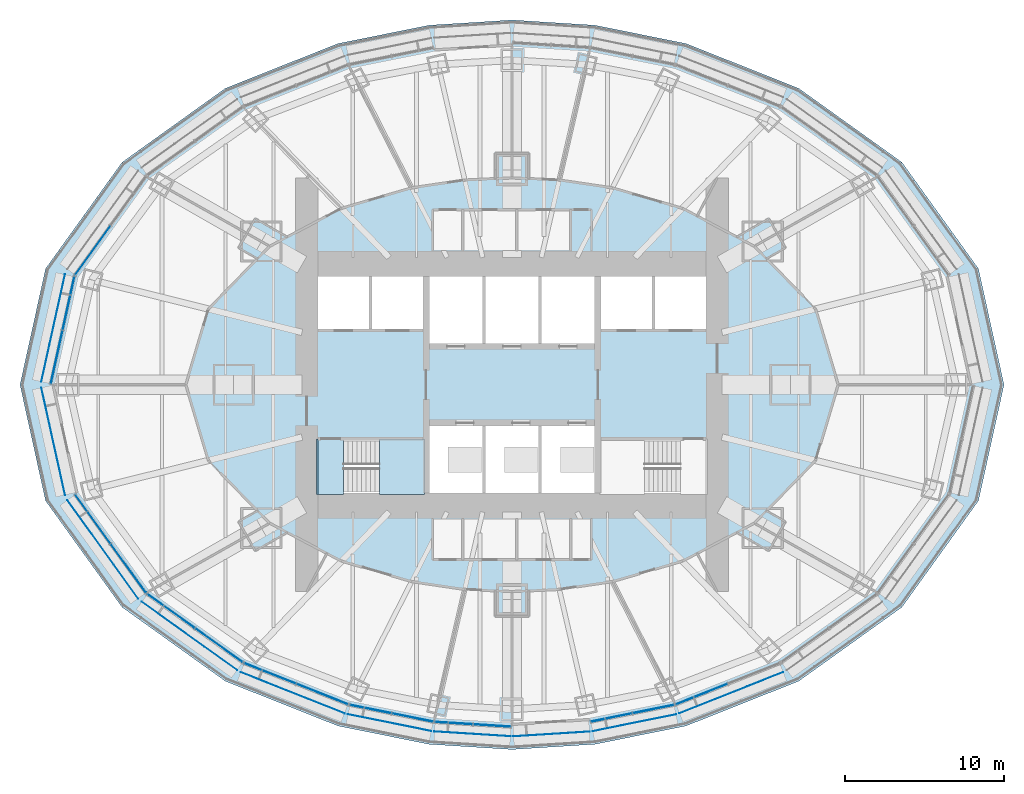
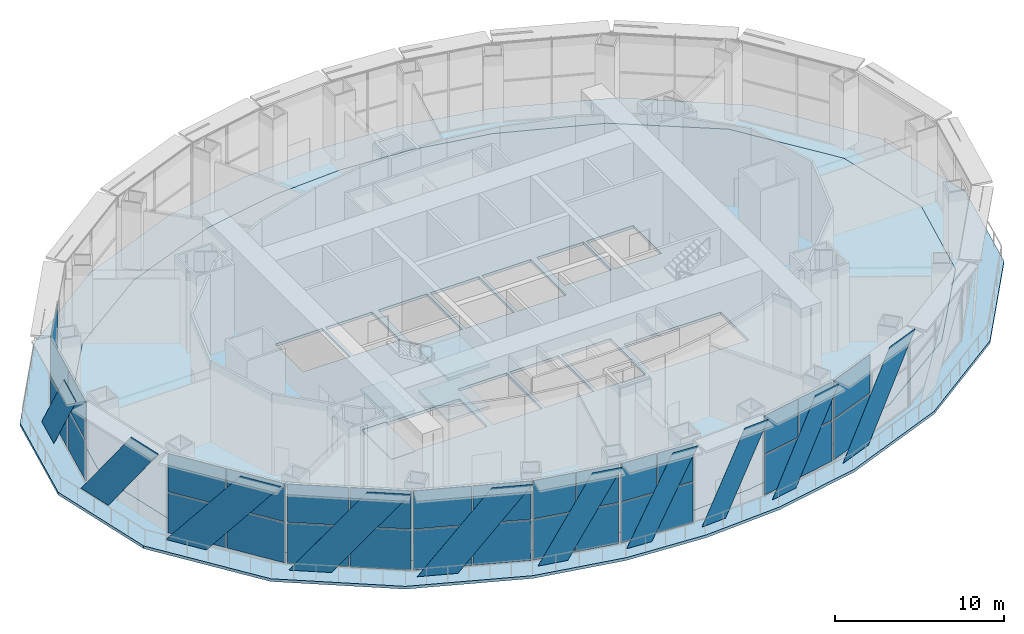
# One storey, part 8 of 21: 42 plates, 6 slabs, 10 elements without a shape of their own.
"""IFC4 building model written with IfcOpenShell, lengths in metres."""

from ifc_helpers import new_model, si_unit, direction, frame, origin, origin_2d, place, context, subcontext, project, spatial, polyline, rectangle, outline, extrude, material, layer, layer_set, type_object, element, aggregate, save


model = new_model("IFC4")

# Units and contexts
model_context = context("Model", 3, precision=1e-05, world=origin(), true_north=direction((0.0, 1.0)))
body_context = subcontext(model_context, "Body", "Model", "MODEL_VIEW")
ifc_project = project(units=[si_unit("LENGTHUNIT", "METRE"), si_unit("AREAUNIT", "SQUARE_METRE"), si_unit("VOLUMEUNIT", "CUBIC_METRE"), si_unit("PLANEANGLEUNIT", "RADIAN"), si_unit("MASSUNIT", "GRAM", prefix="KILO")], contexts=[model_context])

# Site, building, storey
site_placement = place(None, origin())
site = spatial("IfcSite", under=ifc_project, at=site_placement, CompositionType="ELEMENT")
building_placement = place(site_placement, origin())
building = spatial("IfcBuilding", under=site, at=building_placement, Name="Lantaw Convention Tower", CompositionType="ELEMENT")
storey_placement = place(building_placement, frame((0.0, 0.0, 111.39990234375)))
storey = spatial("IfcBuildingStorey", under=building, at=storey_placement, Name="L26", CompositionType="ELEMENT", Elevation=111.39990234375)

# Curtain wall, plates
ifc_material_1 = material(Name="Aluminium framed curtain wall", Category="aluminium")
curtain_wall_type = type_object("IfcCurtainWallType", Name="Sky lobby curtain wall L26, pale aluminium", PredefinedType="USERDEFINED", material=ifc_material_1)
curtain_wall_1_placement = place(storey_placement, origin())
curtain_wall_1 = element("IfcCurtainWall", 1, at=curtain_wall_1_placement, inside=storey, type_object=curtain_wall_type, Name="Sky lobby curtain wall L26, pale aluminium L26", ObjectType="STICK CURTAIN WALL", PredefinedType="USERDEFINED")
ifc_material_2 = material(Name="Clear insulating glass", Category="glass")
ifc_layer_1 = layer(ifc_material_2, 0.030029296875)
ifc_layer_set_1 = layer_set([ifc_layer_1], Name="CW-SL panel 30")
plate_type_1 = type_object("IfcPlateType", Name="CW-SL panel 30", PredefinedType="CURTAIN_PANEL", material=ifc_layer_set_1)
plate_1_placement = place(storey_placement, frame((-26.3466796875, 8.4365234375, 0.0751953125), z_axis=(0.0, 0.0, 1.0), x_axis=(-0.584512597221, -0.811384633629, 0.0)))
plate_1 = element("IfcPlate", 2, at=plate_1_placement, type_object=plate_type_1, Name="CW-SL panel 2.1", PredefinedType="CURTAIN_PANEL", context=body_context, shape_type="SweptSolid", body=[
    extrude(rectangle(XDim=3.75244140625, YDim=0.030029296875, at=origin_2d()), origin(), (0.0, 0.0, 1.0), 2.887451171875),
])
plate_2_placement = place(storey_placement, frame((-26.3466796875, 8.4365234375, 3.03759765625), z_axis=(0.0, 0.0, 1.0), x_axis=(-0.584512597221, -0.811384633629, 0.0)))
plate_2 = element("IfcPlate", 3, at=plate_2_placement, type_object=plate_type_1, Name="CW-SL panel 2.2", PredefinedType="CURTAIN_PANEL", context=body_context, shape_type="SweptSolid", body=[
    extrude(rectangle(XDim=3.75244140625, YDim=0.030029296875, at=origin_2d()), origin(), (0.0, 0.0, 1.0), 2.737548828125),
])
aggregate(curtain_wall_1, [plate_1, plate_2])

curtain_wall_2_placement = place(storey_placement, origin())
curtain_wall_2 = element("IfcCurtainWall", 4, at=curtain_wall_2_placement, inside=storey, type_object=curtain_wall_type, Name="Sky lobby curtain wall L26, pale aluminium L26", ObjectType="STICK CURTAIN WALL", PredefinedType="USERDEFINED")
plate_3_placement = place(storey_placement, frame((-27.869384765625, 5.12158203125, 0.0751953125), z_axis=(0.0, 0.0, 1.0), x_axis=(-0.215546166174, -0.9764936509, 0.0)))
plate_3 = element("IfcPlate", 5, at=plate_3_placement, type_object=plate_type_1, Name="CW-SL panel 1.1", PredefinedType="CURTAIN_PANEL", context=body_context, shape_type="SweptSolid", body=[
    extrude(rectangle(XDim=3.396728515625, YDim=0.030029296875, at=origin_2d()), origin(), (0.0, 0.0, 1.0), 2.887451171875),
])
plate_4_placement = place(storey_placement, frame((-27.869384765625, 5.12158203125, 3.03759765625), z_axis=(0.0, 0.0, 1.0), x_axis=(-0.215546166174, -0.9764936509, 0.0)))
plate_4 = element("IfcPlate", 6, at=plate_4_placement, type_object=plate_type_1, Name="CW-SL panel 1.2", PredefinedType="CURTAIN_PANEL", context=body_context, shape_type="SweptSolid", body=[
    extrude(rectangle(XDim=3.396728515625, YDim=0.030029296875, at=origin_2d()), origin(), (0.0, 0.0, 1.0), 2.737548828125),
])
plate_5_placement = place(storey_placement, frame((-28.61767578125, 1.731689453125, 0.0751953125), z_axis=(0.0, 0.0, 1.0), x_axis=(-0.215546166174, -0.9764936509, 0.0)))
plate_5 = element("IfcPlate", 7, at=plate_5_placement, type_object=plate_type_1, Name="CW-SL panel 2.1", PredefinedType="CURTAIN_PANEL", context=body_context, shape_type="SweptSolid", body=[
    extrude(rectangle(XDim=3.396728515625, YDim=0.030029296875, at=origin_2d()), origin(), (0.0, 0.0, 1.0), 2.887451171875),
])
plate_6_placement = place(storey_placement, frame((-28.61767578125, 1.731689453125, 3.03759765625), z_axis=(0.0, 0.0, 1.0), x_axis=(-0.215546166174, -0.9764936509, 0.0)))
plate_6 = element("IfcPlate", 8, at=plate_6_placement, type_object=plate_type_1, Name="CW-SL panel 2.2", PredefinedType="CURTAIN_PANEL", context=body_context, shape_type="SweptSolid", body=[
    extrude(rectangle(XDim=3.396728515625, YDim=0.030029296875, at=origin_2d()), origin(), (0.0, 0.0, 1.0), 2.737548828125),
])
aggregate(curtain_wall_2, [plate_3, plate_4, plate_5, plate_6])

curtain_wall_3_placement = place(storey_placement, origin())
curtain_wall_3 = element("IfcCurtainWall", 9, at=curtain_wall_3_placement, inside=storey, type_object=curtain_wall_type, Name="Sky lobby curtain wall L26, pale aluminium L26", ObjectType="STICK CURTAIN WALL", PredefinedType="USERDEFINED")
plate_7_placement = place(storey_placement, frame((-26.3466796875, -8.4365234375, 0.0751953125), z_axis=(0.0, 0.0, 1.0), x_axis=(0.584512597221, -0.811384633629, 0.0)))
plate_7 = element("IfcPlate", 10, at=plate_7_placement, type_object=plate_type_1, Name="CW-SL panel 1.1", PredefinedType="CURTAIN_PANEL", context=body_context, shape_type="SweptSolid", body=[
    extrude(rectangle(XDim=3.75244140625, YDim=0.030029296875, at=origin_2d()), origin(), (0.0, 0.0, 1.0), 2.887451171875),
])
plate_8_placement = place(storey_placement, frame((-26.3466796875, -8.4365234375, 3.03759765625), z_axis=(0.0, 0.0, 1.0), x_axis=(0.584512597221, -0.811384633629, 0.0)))
plate_8 = element("IfcPlate", 11, at=plate_8_placement, type_object=plate_type_1, Name="CW-SL panel 1.2", PredefinedType="CURTAIN_PANEL", context=body_context, shape_type="SweptSolid", body=[
    extrude(rectangle(XDim=3.75244140625, YDim=0.030029296875, at=origin_2d()), origin(), (0.0, 0.0, 1.0), 2.737548828125),
])
plate_9_placement = place(storey_placement, frame((-24.109619140625, -11.5419921875, 0.0751953125), z_axis=(0.0, 0.0, 1.0), x_axis=(0.584512597221, -0.811384633629, 0.0)))
plate_9 = element("IfcPlate", 12, at=plate_9_placement, type_object=plate_type_1, Name="CW-SL panel 2.1", PredefinedType="CURTAIN_PANEL", context=body_context, shape_type="SweptSolid", body=[
    extrude(rectangle(XDim=3.75244140625, YDim=0.030029296875, at=origin_2d()), origin(), (0.0, 0.0, 1.0), 2.887451171875),
])
plate_10_placement = place(storey_placement, frame((-24.109619140625, -11.5419921875, 3.03759765625), z_axis=(0.0, 0.0, 1.0), x_axis=(0.584512597221, -0.811384633629, 0.0)))
plate_10 = element("IfcPlate", 13, at=plate_10_placement, type_object=plate_type_1, Name="CW-SL panel 2.2", PredefinedType="CURTAIN_PANEL", context=body_context, shape_type="SweptSolid", body=[
    extrude(rectangle(XDim=3.75244140625, YDim=0.030029296875, at=origin_2d()), origin(), (0.0, 0.0, 1.0), 2.737548828125),
])
aggregate(curtain_wall_3, [plate_7, plate_8, plate_9, plate_10])

curtain_wall_4_placement = place(storey_placement, origin())
curtain_wall_4 = element("IfcCurtainWall", 14, at=curtain_wall_4_placement, inside=storey, type_object=curtain_wall_type, Name="Sky lobby curtain wall L26, pale aluminium L26", ObjectType="STICK CURTAIN WALL", PredefinedType="USERDEFINED")
plate_11_placement = place(storey_placement, frame((-21.431884765625, -14.22509765625, 0.0751953125), z_axis=(0.0, 0.0, 1.0), x_axis=(0.813208325995, -0.581972695693, 0.0)))
plate_11 = element("IfcPlate", 15, at=plate_11_placement, type_object=plate_type_1, Name="CW-SL panel 1.1", PredefinedType="CURTAIN_PANEL", context=body_context, shape_type="SweptSolid", body=[
    extrude(rectangle(XDim=3.63037109375, YDim=0.030029296875, at=origin_2d()), origin(), (0.0, 0.0, 1.0), 2.887451171875),
])
plate_12_placement = place(storey_placement, frame((-21.431884765625, -14.22509765625, 3.03759765625), z_axis=(0.0, 0.0, 1.0), x_axis=(0.813208325995, -0.581972695693, 0.0)))
plate_12 = element("IfcPlate", 16, at=plate_12_placement, type_object=plate_type_1, Name="CW-SL panel 1.2", PredefinedType="CURTAIN_PANEL", context=body_context, shape_type="SweptSolid", body=[
    extrude(rectangle(XDim=3.63037109375, YDim=0.030029296875, at=origin_2d()), origin(), (0.0, 0.0, 1.0), 2.737548828125),
])
plate_13_placement = place(storey_placement, frame((-18.4189453125, -16.381591796875, 0.0751953125), z_axis=(0.0, 0.0, 1.0), x_axis=(0.813208325995, -0.581972695693, 0.0)))
plate_13 = element("IfcPlate", 17, at=plate_13_placement, type_object=plate_type_1, Name="CW-SL panel 2.1", PredefinedType="CURTAIN_PANEL", context=body_context, shape_type="SweptSolid", body=[
    extrude(rectangle(XDim=3.63037109375, YDim=0.030029296875, at=origin_2d()), origin(), (0.0, 0.0, 1.0), 2.887451171875),
])
plate_14_placement = place(storey_placement, frame((-18.4189453125, -16.381591796875, 3.03759765625), z_axis=(0.0, 0.0, 1.0), x_axis=(0.813208325995, -0.581972695693, 0.0)))
plate_14 = element("IfcPlate", 18, at=plate_14_placement, type_object=plate_type_1, Name="CW-SL panel 2.2", PredefinedType="CURTAIN_PANEL", context=body_context, shape_type="SweptSolid", body=[
    extrude(rectangle(XDim=3.63037109375, YDim=0.030029296875, at=origin_2d()), origin(), (0.0, 0.0, 1.0), 2.737548828125),
])
aggregate(curtain_wall_4, [plate_11, plate_12, plate_13, plate_14])

curtain_wall_5_placement = place(storey_placement, origin())
curtain_wall_5 = element("IfcCurtainWall", 19, at=curtain_wall_5_placement, inside=storey, type_object=curtain_wall_type, Name="Sky lobby curtain wall L26, pale aluminium L26", ObjectType="STICK CURTAIN WALL", PredefinedType="USERDEFINED")
plate_15_placement = place(storey_placement, frame((-15.205810546875, -18.146240234375, 0.0751953125), z_axis=(0.0, 0.0, 1.0), x_axis=(0.929547687544, -0.368701907483, 0.0)))
plate_15 = element("IfcPlate", 20, at=plate_15_placement, type_object=plate_type_1, Name="CW-SL panel 1.1", PredefinedType="CURTAIN_PANEL", context=body_context, shape_type="SweptSolid", body=[
    extrude(rectangle(XDim=3.455810546875, YDim=0.030029296875, at=origin_2d()), origin(), (0.0, 0.0, 1.0), 2.887451171875),
])
plate_16_placement = place(storey_placement, frame((-15.205810546875, -18.146240234375, 3.03759765625), z_axis=(0.0, 0.0, 1.0), x_axis=(0.929547687544, -0.368701907483, 0.0)))
plate_16 = element("IfcPlate", 21, at=plate_16_placement, type_object=plate_type_1, Name="CW-SL panel 1.2", PredefinedType="CURTAIN_PANEL", context=body_context, shape_type="SweptSolid", body=[
    extrude(rectangle(XDim=3.455810546875, YDim=0.030029296875, at=origin_2d()), origin(), (0.0, 0.0, 1.0), 2.737548828125),
])
plate_17_placement = place(storey_placement, frame((-11.923828125, -19.447998046875, 0.0751953125), z_axis=(0.0, 0.0, 1.0), x_axis=(0.929547687544, -0.368701907483, 0.0)))
plate_17 = element("IfcPlate", 22, at=plate_17_placement, type_object=plate_type_1, Name="CW-SL panel 2.1", PredefinedType="CURTAIN_PANEL", context=body_context, shape_type="SweptSolid", body=[
    extrude(rectangle(XDim=3.455810546875, YDim=0.030029296875, at=origin_2d()), origin(), (0.0, 0.0, 1.0), 2.887451171875),
])
plate_18_placement = place(storey_placement, frame((-11.923828125, -19.447998046875, 3.03759765625), z_axis=(0.0, 0.0, 1.0), x_axis=(0.929547687544, -0.368701907483, 0.0)))
plate_18 = element("IfcPlate", 23, at=plate_18_placement, type_object=plate_type_1, Name="CW-SL panel 2.2", PredefinedType="CURTAIN_PANEL", context=body_context, shape_type="SweptSolid", body=[
    extrude(rectangle(XDim=3.455810546875, YDim=0.030029296875, at=origin_2d()), origin(), (0.0, 0.0, 1.0), 2.737548828125),
])
aggregate(curtain_wall_5, [plate_15, plate_16, plate_17, plate_18])

curtain_wall_6_placement = place(storey_placement, origin())
curtain_wall_6 = element("IfcCurtainWall", 24, at=curtain_wall_6_placement, inside=storey, type_object=curtain_wall_type, Name="Sky lobby curtain wall L26, pale aluminium L26", ObjectType="STICK CURTAIN WALL", PredefinedType="USERDEFINED")
plate_19_placement = place(storey_placement, frame((-8.890625, -20.38623046875, 0.0751953125), z_axis=(0.0, 0.0, 1.0), x_axis=(0.980301514912, -0.197506809659, 0.0)))
plate_19 = element("IfcPlate", 25, at=plate_19_placement, type_object=plate_type_1, Name="CW-SL panel 1.1", PredefinedType="CURTAIN_PANEL", context=body_context, shape_type="SweptSolid", body=[
    extrude(rectangle(XDim=2.619140625, YDim=0.030029296875, at=origin_2d()), origin(), (0.0, 0.0, 1.0), 2.887451171875),
])
plate_20_placement = place(storey_placement, frame((-8.890625, -20.38623046875, 3.03759765625), z_axis=(0.0, 0.0, 1.0), x_axis=(0.980301514912, -0.197506809659, 0.0)))
plate_20 = element("IfcPlate", 26, at=plate_20_placement, type_object=plate_type_1, Name="CW-SL panel 1.2", PredefinedType="CURTAIN_PANEL", context=body_context, shape_type="SweptSolid", body=[
    extrude(rectangle(XDim=2.619140625, YDim=0.030029296875, at=origin_2d()), origin(), (0.0, 0.0, 1.0), 2.737548828125),
])
plate_21_placement = place(storey_placement, frame((-6.249755859375, -20.91845703125, 0.0751953125), z_axis=(0.0, 0.0, 1.0), x_axis=(0.980301514912, -0.197506809659, 0.0)))
plate_21 = element("IfcPlate", 27, at=plate_21_placement, type_object=plate_type_1, Name="CW-SL panel 2.1", PredefinedType="CURTAIN_PANEL", context=body_context, shape_type="SweptSolid", body=[
    extrude(rectangle(XDim=2.619140625, YDim=0.030029296875, at=origin_2d()), origin(), (0.0, 0.0, 1.0), 2.887451171875),
])
plate_22_placement = place(storey_placement, frame((-6.249755859375, -20.91845703125, 3.03759765625), z_axis=(0.0, 0.0, 1.0), x_axis=(0.980301514912, -0.197506809659, 0.0)))
plate_22 = element("IfcPlate", 28, at=plate_22_placement, type_object=plate_type_1, Name="CW-SL panel 2.2", PredefinedType="CURTAIN_PANEL", context=body_context, shape_type="SweptSolid", body=[
    extrude(rectangle(XDim=2.619140625, YDim=0.030029296875, at=origin_2d()), origin(), (0.0, 0.0, 1.0), 2.737548828125),
])
aggregate(curtain_wall_6, [plate_19, plate_20, plate_21, plate_22])

curtain_wall_7_placement = place(storey_placement, origin())
curtain_wall_7 = element("IfcCurtainWall", 29, at=curtain_wall_7_placement, inside=storey, type_object=curtain_wall_type, Name="Sky lobby curtain wall L26, pale aluminium L26", ObjectType="STICK CURTAIN WALL", PredefinedType="USERDEFINED")
plate_23_placement = place(storey_placement, frame((-3.650634765625, -21.27001953125, 0.0751953125), z_axis=(0.0, 0.0, 1.0), x_axis=(0.998022035978, -0.062865059466, 0.0)))
plate_23 = element("IfcPlate", 30, at=plate_23_placement, type_object=plate_type_1, Name="CW-SL panel 1.1", PredefinedType="CURTAIN_PANEL", context=body_context, shape_type="SweptSolid", body=[
    extrude(rectangle(XDim=2.338623046875, YDim=0.030029296875, at=origin_2d()), origin(), (0.0, 0.0, 1.0), 2.887451171875),
])
plate_24_placement = place(storey_placement, frame((-3.650634765625, -21.27001953125, 3.03759765625), z_axis=(0.0, 0.0, 1.0), x_axis=(0.998022035978, -0.062865059466, 0.0)))
plate_24 = element("IfcPlate", 31, at=plate_24_placement, type_object=plate_type_1, Name="CW-SL panel 1.2", PredefinedType="CURTAIN_PANEL", context=body_context, shape_type="SweptSolid", body=[
    extrude(rectangle(XDim=2.338623046875, YDim=0.030029296875, at=origin_2d()), origin(), (0.0, 0.0, 1.0), 2.737548828125),
])
plate_25_placement = place(storey_placement, frame((-1.241943359375, -21.421875, 0.0751953125), z_axis=(0.0, 0.0, 1.0), x_axis=(0.998022035978, -0.062865059466, 0.0)))
plate_25 = element("IfcPlate", 32, at=plate_25_placement, type_object=plate_type_1, Name="CW-SL panel 2.1", PredefinedType="CURTAIN_PANEL", context=body_context, shape_type="SweptSolid", body=[
    extrude(rectangle(XDim=2.338623046875, YDim=0.030029296875, at=origin_2d()), origin(), (0.0, 0.0, 1.0), 2.887451171875),
])
plate_26_placement = place(storey_placement, frame((-1.241943359375, -21.421875, 3.03759765625), z_axis=(0.0, 0.0, 1.0), x_axis=(0.998022035978, -0.062865059466, 0.0)))
plate_26 = element("IfcPlate", 33, at=plate_26_placement, type_object=plate_type_1, Name="CW-SL panel 2.2", PredefinedType="CURTAIN_PANEL", context=body_context, shape_type="SweptSolid", body=[
    extrude(rectangle(XDim=2.338623046875, YDim=0.030029296875, at=origin_2d()), origin(), (0.0, 0.0, 1.0), 2.737548828125),
])
aggregate(curtain_wall_7, [plate_23, plate_24, plate_25, plate_26])

curtain_wall_8_placement = place(storey_placement, origin())
curtain_wall_8 = element("IfcCurtainWall", 34, at=curtain_wall_8_placement, inside=storey, type_object=curtain_wall_type, Name="Sky lobby curtain wall L26, pale aluminium L26", ObjectType="STICK CURTAIN WALL", PredefinedType="USERDEFINED")
plate_27_placement = place(storey_placement, frame((6.249755859375, -20.91845703125, 0.0751953125), z_axis=(0.0, 0.0, 1.0), x_axis=(0.980301514912, 0.197506809659, 0.0)))
plate_27 = element("IfcPlate", 35, at=plate_27_placement, type_object=plate_type_1, Name="CW-SL panel 1.1", PredefinedType="CURTAIN_PANEL", context=body_context, shape_type="SweptSolid", body=[
    extrude(rectangle(XDim=2.619140625, YDim=0.030029296875, at=origin_2d()), origin(), (0.0, 0.0, 1.0), 2.887451171875),
])
plate_28_placement = place(storey_placement, frame((6.249755859375, -20.91845703125, 3.03759765625), z_axis=(0.0, 0.0, 1.0), x_axis=(0.980301514912, 0.197506809659, 0.0)))
plate_28 = element("IfcPlate", 36, at=plate_28_placement, type_object=plate_type_1, Name="CW-SL panel 1.2", PredefinedType="CURTAIN_PANEL", context=body_context, shape_type="SweptSolid", body=[
    extrude(rectangle(XDim=2.619140625, YDim=0.030029296875, at=origin_2d()), origin(), (0.0, 0.0, 1.0), 2.737548828125),
])
plate_29_placement = place(storey_placement, frame((8.890625, -20.38623046875, 0.0751953125), z_axis=(0.0, 0.0, 1.0), x_axis=(0.980301514912, 0.197506809659, 0.0)))
plate_29 = element("IfcPlate", 37, at=plate_29_placement, type_object=plate_type_1, Name="CW-SL panel 2.1", PredefinedType="CURTAIN_PANEL", context=body_context, shape_type="SweptSolid", body=[
    extrude(rectangle(XDim=2.619140625, YDim=0.030029296875, at=origin_2d()), origin(), (0.0, 0.0, 1.0), 2.887451171875),
])
plate_30_placement = place(storey_placement, frame((8.890625, -20.38623046875, 3.03759765625), z_axis=(0.0, 0.0, 1.0), x_axis=(0.980301514912, 0.197506809659, 0.0)))
plate_30 = element("IfcPlate", 38, at=plate_30_placement, type_object=plate_type_1, Name="CW-SL panel 2.2", PredefinedType="CURTAIN_PANEL", context=body_context, shape_type="SweptSolid", body=[
    extrude(rectangle(XDim=2.619140625, YDim=0.030029296875, at=origin_2d()), origin(), (0.0, 0.0, 1.0), 2.737548828125),
])
aggregate(curtain_wall_8, [plate_27, plate_28, plate_29, plate_30])

curtain_wall_9_placement = place(storey_placement, origin())
curtain_wall_9 = element("IfcCurtainWall", 39, at=curtain_wall_9_placement, inside=storey, type_object=curtain_wall_type, Name="Sky lobby curtain wall L26, pale aluminium L26", ObjectType="STICK CURTAIN WALL", PredefinedType="USERDEFINED")
plate_31_placement = place(storey_placement, frame((11.923828125, -19.447998046875, 0.0751953125), z_axis=(0.0, 0.0, 1.0), x_axis=(0.929547687544, 0.368701907483, 0.0)))
plate_31 = element("IfcPlate", 40, at=plate_31_placement, type_object=plate_type_1, Name="CW-SL panel 1.1", PredefinedType="CURTAIN_PANEL", context=body_context, shape_type="SweptSolid", body=[
    extrude(rectangle(XDim=3.455810546875, YDim=0.030029296875, at=origin_2d()), origin(), (0.0, 0.0, 1.0), 2.887451171875),
])
plate_32_placement = place(storey_placement, frame((11.923828125, -19.447998046875, 3.03759765625), z_axis=(0.0, 0.0, 1.0), x_axis=(0.929547687544, 0.368701907483, 0.0)))
plate_32 = element("IfcPlate", 41, at=plate_32_placement, type_object=plate_type_1, Name="CW-SL panel 1.2", PredefinedType="CURTAIN_PANEL", context=body_context, shape_type="SweptSolid", body=[
    extrude(rectangle(XDim=3.455810546875, YDim=0.030029296875, at=origin_2d()), origin(), (0.0, 0.0, 1.0), 2.737548828125),
])
aggregate(curtain_wall_9, [plate_31, plate_32])

# Slab
ifc_material_3 = material(Name="Concrete C35/45", Category="concrete")
ifc_layer_2 = layer(ifc_material_3, 0.199951171875)
ifc_layer_set_2 = layer_set([ifc_layer_2], Name="Floor slab 200")
slab_type_1 = type_object("IfcSlabType", Name="Floor slab 200", PredefinedType="FLOOR", material=ifc_layer_set_2)
slab_1_placement = place(storey_placement, frame((0.0, 0.0, -0.199951171875)))
element("IfcSlab", 42, at=slab_1_placement, inside=storey, type_object=slab_type_1, Name="L26 floor slab", PredefinedType="FLOOR", context=body_context, shape_type="SweptSolid", body=[
    extrude(outline(polyline([(22.013916015625, -12.579345703125), (26.419921875, -6.587158203125), (27.89990234375, 0.0), (26.419921875, 6.587158203125), (22.013916015625, 12.579345703125), (16.11767578125, 16.690185546875), (9.74853515625, 19.1328125), (4.64501953125, 20.1201171875), (0.0, 20.39990234375), (-4.64501953125, 20.1201171875), (-9.74853515625, 19.1328125), (-16.11767578125, 16.690185546875), (-22.013916015625, 12.579345703125), (-26.419921875, 6.587158203125), (-27.89990234375, 0.0), (-26.419921875, -6.587158203125), (-22.013916015625, -12.579345703125), (-16.11767578125, -16.690185546875), (-9.74853515625, -19.1328125), (-4.64501953125, -20.1201171875), (0.0, -20.39990234375), (4.64501953125, -20.1201171875), (9.74853515625, -19.1328125), (16.11767578125, -16.690185546875), (22.013916015625, -12.579345703125)]), holes=[polyline([(-5.60009765625, -3.5), (-12.199951171875, -3.5), (-12.199951171875, -6.800048828125), (-5.60009765625, -6.800048828125), (-5.60009765625, -3.5)]), polyline([(-1.86669921875, -6.800048828125), (-1.86669921875, -2.60009765625), (-5.199951171875, -2.60009765625), (-5.199951171875, -6.800048828125), (-1.86669921875, -6.800048828125)]), polyline([(-1.86669921875, 2.60009765625), (-1.86669921875, 6.800048828125), (-5.199951171875, 6.800048828125), (-5.199951171875, 2.60009765625), (-1.86669921875, 2.60009765625)]), polyline([(1.666748046875, 6.800048828125), (-1.666748046875, 6.800048828125), (-1.666748046875, 2.60009765625), (1.666748046875, 2.60009765625), (1.666748046875, 6.800048828125)]), polyline([(-9.0, 3.5), (-9.0, 6.800048828125), (-12.199951171875, 6.800048828125), (-12.199951171875, 3.5), (-9.0, 3.5)]), polyline([(-5.60009765625, 3.5), (-5.60009765625, 6.800048828125), (-8.800048828125, 6.800048828125), (-8.800048828125, 3.5), (-5.60009765625, 3.5)]), polyline([(12.199951171875, -3.5), (5.60009765625, -3.5), (5.60009765625, -6.800048828125), (12.199951171875, -6.800048828125), (12.199951171875, -3.5)]), polyline([(1.666748046875, -6.800048828125), (1.666748046875, -2.60009765625), (-1.666748046875, -2.60009765625), (-1.666748046875, -6.800048828125), (1.666748046875, -6.800048828125)]), polyline([(5.199951171875, -6.800048828125), (5.199951171875, -2.60009765625), (1.86669921875, -2.60009765625), (1.86669921875, -6.800048828125), (5.199951171875, -6.800048828125)]), polyline([(5.199951171875, 6.800048828125), (1.86669921875, 6.800048828125), (1.86669921875, 2.60009765625), (5.199951171875, 2.60009765625), (5.199951171875, 6.800048828125)]), polyline([(8.800048828125, 3.5), (8.800048828125, 6.800048828125), (5.60009765625, 6.800048828125), (5.60009765625, 3.5), (8.800048828125, 3.5)]), polyline([(12.199951171875, 3.5), (12.199951171875, 6.800048828125), (9.0, 6.800048828125), (9.0, 3.5), (12.199951171875, 3.5)])]), origin(), (0.0, 0.0, 1.0), 0.199951171875),
])

# Plates
ifc_material_4 = material(Name="Perforated aluminium sheet, pale silver finish", Category="aluminium")
ifc_layer_3 = layer(ifc_material_4, 0.006103515625)
ifc_layer_set_3 = layer_set([ifc_layer_3], Name="Perforated aluminium solar SCREEN panel")
plate_type_2 = type_object("IfcPlateType", Name="Perforated aluminium solar SCREEN panel", PredefinedType="SHEET", material=ifc_layer_set_3)
plate_33_placement = place(storey_placement, frame((-28.08984375, 6.93505859375, -0.199951171875), z_axis=(0.976497812737, -0.215527309569, 2.3461789e-05), x_axis=(-0.215527309629, -0.976497813005, -1.172e-09)))
element("IfcPlate", 43, at=plate_33_placement, inside=storey, type_object=plate_type_2, Name="Solar SCREEN panel", PredefinedType="SHEET", context=body_context, shape_type="SweptSolid", body=[
    extrude(outline(polyline([(0.0, 0.0), (2.386131748388921, 1.6940658945086007e-21), (6.918240176095254, -6.165039072305349), (4.532055808734257, -6.165039066711932), (0.0, 0.0)])), origin(), (0.0, 0.0, -1.0), 0.006103515625),
])
plate_34_placement = place(storey_placement, frame((-29.5810546875, -0.179443359375, -0.199951171875), z_axis=(-0.976497812737, -0.215527309569, 2.3461789e-05), x_axis=(0.215527309629, -0.976497813005, 1.172e-09)))
element("IfcPlate", 44, at=plate_34_placement, inside=storey, type_object=plate_type_2, Name="Solar SCREEN panel", PredefinedType="SHEET", context=body_context, shape_type="SweptSolid", body=[
    extrude(outline(polyline([(0.0, 0.0), (2.386184367360998, -1.6940658945086007e-21), (6.918240190546627, 6.1650390560884105), (4.532108442157706, 6.165039061681704), (0.0, 0.0)])), origin(), (0.0, 0.0, -1.0), 0.006103515625),
])
plate_35_placement = place(storey_placement, frame((-27.94970703125, -7.248046875, -0.199951171875), z_axis=(-0.811395121853, -0.584498037289, 2.5263716e-05), x_axis=(0.584498037475, -0.811395122112, -6.86e-10)))
element("IfcPlate", 45, at=plate_35_placement, inside=storey, type_object=plate_type_2, Name="Solar SCREEN panel", PredefinedType="SHEET", context=body_context, shape_type="SweptSolid", body=[
    extrude(outline(polyline([(0.0, 0.0), (2.628222178575422, -6.776263578034403e-21), (7.629778257969264, 6.165039069700306), (5.001754173906076, 6.165039066095317), (0.0, 0.0)])), origin(), (0.0, 0.0, -1.0), 0.006103515625),
])
plate_36_placement = place(storey_placement, frame((-23.281005859375, -13.64697265625, -0.199951171875), z_axis=(-0.582000183956, -0.813188653271, 8.121964e-06), x_axis=(0.813188653298, -0.582000183975, 0.0)))
element("IfcPlate", 46, at=plate_36_placement, inside=storey, type_object=plate_type_2, Name="Solar SCREEN panel", PredefinedType="SHEET", context=body_context, shape_type="SweptSolid", body=[
    extrude(outline(polyline([(0.0, 0.0), (2.5450183911586484, 1.6940658945086007e-21), (7.385531276904658, 6.165039062703343), (4.840512885746009, 6.165039062703343), (0.0, 0.0)])), origin(), (0.0, 0.0, -1.0), 0.006103515625),
])
plate_37_placement = place(storey_placement, frame((-17.05859375, -18.063232421875, -0.199951171875), z_axis=(0.368708915378, 0.929544907824, 7.650228e-06), x_axis=(0.929544907851, -0.368708915389, 5e-10)))
element("IfcPlate", 47, at=plate_37_placement, inside=storey, type_object=plate_type_2, Name="Solar SCREEN panel", PredefinedType="SHEET", context=body_context, shape_type="SweptSolid", body=[
    extrude(outline(polyline([(0.0, 0.0), (2.4263803793049097, -8.470329472543003e-22), (7.0365496295669825, -6.165039059164441), (4.61003232741235, -6.165039061589298), (0.0, 0.0)])), origin(), (0.0, 0.0, -1.0), 0.006103515625),
])
plate_38_placement = place(storey_placement, frame((-10.318603515625, -20.716796875, -0.199951171875), z_axis=(-0.197556725519, -0.980291456369, 2.7795745e-05), x_axis=(0.980291456747, -0.197556725596, 0.0)))
element("IfcPlate", 48, at=plate_38_placement, inside=storey, type_object=plate_type_2, Name="Solar SCREEN panel", PredefinedType="SHEET", context=body_context, shape_type="SweptSolid", body=[
    extrude(outline(polyline([(0.0, 0.0), (1.8574075788555457, 1.6940658945086007e-21), (5.362987026845185, 6.165039064881565), (3.505579447989639, 6.165039064881565), (0.0, 0.0)])), origin(), (0.0, 0.0, -1.0), 0.006103515625),
])
plate_39_placement = place(storey_placement, frame((-4.880615234375, -21.7998046875, -0.199951171875), z_axis=(-0.062838799866, -0.998023689714, 1.235533e-06), x_axis=(0.998023689715, -0.062838799866, -6e-12)))
element("IfcPlate", 49, at=plate_39_placement, inside=storey, type_object=plate_type_2, Name="Solar SCREEN panel", PredefinedType="SHEET", context=body_context, shape_type="SweptSolid", body=[
    extrude(outline(polyline([(0.0, 0.0), (1.6666243269452135, 2.6469779601696886e-23), (4.802214797186689, 6.1650390625320135), (3.135346812114104, 6.165039062513057), (0.0, 0.0)])), origin(), (0.0, 0.0, -1.0), 0.006103515625),
])
plate_40_placement = place(storey_placement, frame((0.087890625, -22.1015625, -0.199951171875), z_axis=(-0.062838799866, 0.998023689714, 1.235533e-06), x_axis=(0.998023689715, 0.062838799866, 6e-12)))
element("IfcPlate", 50, at=plate_40_placement, inside=storey, type_object=plate_type_2, Name="Solar SCREEN panel", PredefinedType="SHEET", context=body_context, shape_type="SweptSolid", body=[
    extrude(outline(polyline([(0.0, 0.0), (1.6668679850725854, -2.6469779601696886e-23), (4.802214797256801, -6.165039062477401), (3.1355904703115876, -6.165039062496355), (0.0, 0.0)])), origin(), (0.0, 0.0, -1.0), 0.006103515625),
])
plate_41_placement = place(storey_placement, frame((5.061279296875, -21.776123046875, -0.199951171875), z_axis=(-0.197556725519, 0.980291456369, 2.7795745e-05), x_axis=(0.980291456747, 0.197556725596, 0.0)))
element("IfcPlate", 51, at=plate_41_placement, inside=storey, type_object=plate_type_2, Name="Solar SCREEN panel", PredefinedType="SHEET", context=body_context, shape_type="SweptSolid", body=[
    extrude(outline(polyline([(0.0, 0.0), (1.8574075788555457, -1.6940658945086007e-21), (5.362987026845185, -6.165039064881565), (3.505579447989639, -6.165039064881565), (0.0, 0.0)])), origin(), (0.0, 0.0, -1.0), 0.006103515625),
])
plate_42_placement = place(storey_placement, frame((10.517822265625, -20.65771484375, -0.199951171875), z_axis=(0.368708915378, -0.929544907824, 7.650228e-06), x_axis=(0.929544907851, 0.368708915389, -5e-10)))
element("IfcPlate", 52, at=plate_42_placement, inside=storey, type_object=plate_type_2, Name="Solar SCREEN panel", PredefinedType="SHEET", context=body_context, shape_type="SweptSolid", body=[
    extrude(outline(polyline([(0.0, 0.0), (2.426517302154632, 0.0), (7.0365496234061595, 6.165039066196178), (4.610169244101249, 6.165039063771457), (0.0, 0.0)])), origin(), (0.0, 0.0, -1.0), 0.006103515625),
])

# Stair, slabs
stair_type = type_object("IfcStairType", Name="Exit stair 1500 riser 166.67 in 4 flights", PredefinedType="HALF_TURN_STAIR", material=ifc_material_3)
stair_placement = place(storey_placement, origin())
stair = element("IfcStair", 53, at=stair_placement, inside=storey, type_object=stair_type, Name="Exit stair S1 L26", PredefinedType="HALF_TURN_STAIR")
ifc_layer_4 = layer(ifc_material_3, 0.199951171875)
ifc_layer_set_4 = layer_set([ifc_layer_4], Name="Stair landing 200")
slab_type_2 = type_object("IfcSlabType", Name="Stair landing 200", PredefinedType="LANDING", material=ifc_layer_set_4)
slab_2_placement = place(storey_placement, frame((0.0, 0.0, -0.199951171875)))
slab_2 = element("IfcSlab", 54, at=slab_2_placement, type_object=slab_type_2, Name="S1 landing 1", PredefinedType="LANDING", context=body_context, shape_type="SweptSolid", body=[
    extrude(outline(polyline([(-12.199951171875, -6.89990234375), (-10.580078125, -6.89990234375), (-10.580078125, -3.39990234375), (-12.199951171875, -3.39990234375), (-12.199951171875, -6.89990234375)])), origin(), (0.0, 0.0, 1.0), 0.199951171875),
])
slab_3_placement = place(storey_placement, frame((0.0, 0.0, 1.300048828125)))
slab_3 = element("IfcSlab", 55, at=slab_3_placement, type_object=slab_type_2, Name="S1 landing 2", PredefinedType="LANDING", context=body_context, shape_type="SweptSolid", body=[
    extrude(outline(polyline([(-8.340087890625, -6.89990234375), (-5.5, -6.89990234375), (-5.5, -3.39990234375), (-8.340087890625, -3.39990234375), (-8.340087890625, -6.89990234375)])), origin(), (0.0, 0.0, 1.0), 0.199951171875),
])
slab_4_placement = place(storey_placement, frame((0.0, 0.0, 2.800048828125)))
slab_4 = element("IfcSlab", 56, at=slab_4_placement, type_object=slab_type_2, Name="S1 landing 3", PredefinedType="LANDING", context=body_context, shape_type="SweptSolid", body=[
    extrude(outline(polyline([(-12.300048828125, -6.89990234375), (-10.580078125, -6.89990234375), (-10.580078125, -3.39990234375), (-12.300048828125, -3.39990234375), (-12.300048828125, -6.89990234375)])), origin(), (0.0, 0.0, 1.0), 0.199951171875),
])
slab_5_placement = place(storey_placement, frame((0.0, 0.0, 4.300048828125)))
slab_5 = element("IfcSlab", 57, at=slab_5_placement, type_object=slab_type_2, Name="S1 landing 4", PredefinedType="LANDING", context=body_context, shape_type="SweptSolid", body=[
    extrude(outline(polyline([(-8.340087890625, -6.89990234375), (-5.5, -6.89990234375), (-5.5, -3.39990234375), (-8.340087890625, -3.39990234375), (-8.340087890625, -6.89990234375)])), origin(), (0.0, 0.0, 1.0), 0.199951171875),
])
aggregate(stair, [slab_2, slab_3, slab_4, slab_5])

# Slab
ifc_layer_5 = layer(ifc_material_3, 0.199951171875)
ifc_layer_set_5 = layer_set([ifc_layer_5], Name="Terrace floor slab 200")
slab_type_3 = type_object("IfcSlabType", Name="Terrace floor slab 200", PredefinedType="FLOOR", material=ifc_layer_set_5)
slab_6_placement = place(storey_placement, frame((0.0, 0.0, -0.199951171875)))
element("IfcSlab", 58, at=slab_6_placement, inside=storey, type_object=slab_type_3, Name="L26 sky garden terrace", PredefinedType="FLOOR", context=body_context, shape_type="SweptSolid", body=[
    extrude(outline(polyline([(18.018798828125, -18.630126953125), (24.50634765625, -13.98046875), (29.315185546875, -7.29541015625), (30.923095703125, 0.0), (29.315185546875, 7.29541015625), (24.50634765625, 13.98046875), (18.018798828125, 18.630126953125), (10.9404296875, 21.44189453125), (5.223876953125, 22.59521484375), (0.0, 22.9248046875), (-5.223876953125, 22.59521484375), (-10.9404296875, 21.44189453125), (-18.018798828125, 18.630126953125), (-24.50634765625, 13.98046875), (-29.315185546875, 7.29541015625), (-30.923095703125, 0.0), (-29.315185546875, -7.29541015625), (-24.50634765625, -13.98046875), (-18.018798828125, -18.630126953125), (-10.9404296875, -21.44189453125), (-5.223876953125, -22.59521484375), (0.0, -22.9248046875), (5.223876953125, -22.59521484375), (10.9404296875, -21.44189453125), (18.018798828125, -18.630126953125)]), holes=[polyline([(16.11767578125, 16.690185546875), (9.74853515625, 19.1328125), (4.64501953125, 20.1201171875), (0.0, 20.39990234375), (-4.64501953125, 20.1201171875), (-9.74853515625, 19.1328125), (-16.11767578125, 16.690185546875), (-22.013916015625, 12.579345703125), (-26.419921875, 6.587158203125), (-27.89990234375, 0.0), (-26.419921875, -6.587158203125), (-22.013916015625, -12.579345703125), (-16.11767578125, -16.690185546875), (-9.74853515625, -19.1328125), (-4.64501953125, -20.1201171875), (0.0, -20.39990234375), (4.64501953125, -20.1201171875), (9.74853515625, -19.1328125), (16.11767578125, -16.690185546875), (22.013916015625, -12.579345703125), (26.419921875, -6.587158203125), (27.89990234375, 0.0), (26.419921875, 6.587158203125), (22.013916015625, 12.579345703125), (16.11767578125, 16.690185546875)])]), origin(), (0.0, 0.0, 1.0), 0.199951171875),
])

save(model, "model.ifc")
